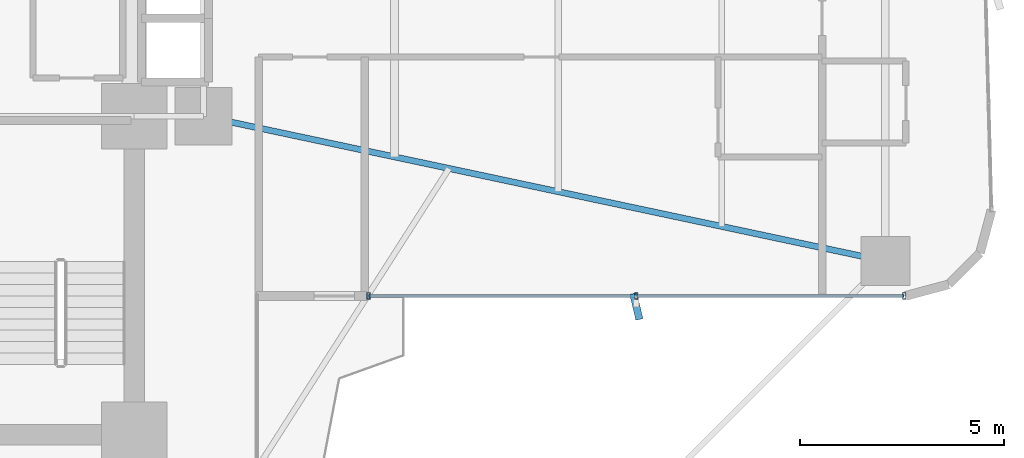
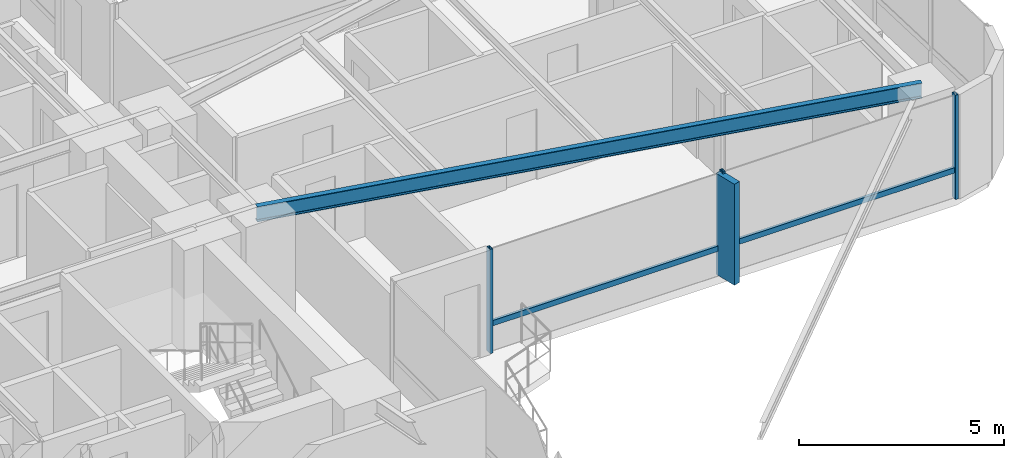
# One storey, part 14 of 25: 6 members, 1 beam, 1 element without a shape of its own.
"""IFC4 building model written with IfcOpenShell, lengths in metres."""

from ifc_helpers import new_model, si_unit, direction, frame, origin, origin_2d, place, context, subcontext, project, spatial, rectangle, hollow_rectangle, i_section, extrude, source, transform, mapped, material, material_profile, profile_set, type_object, element, aggregate, save


model = new_model("IFC4")

# Units and contexts
model_context = context("Model", 3, precision=1e-05, world=origin(), true_north=direction((0.0, 1.0)))
body_context = subcontext(model_context, "Body", "Model", "MODEL_VIEW")
ifc_project = project(units=[si_unit("LENGTHUNIT", "METRE"), si_unit("AREAUNIT", "SQUARE_METRE"), si_unit("VOLUMEUNIT", "CUBIC_METRE"), si_unit("PLANEANGLEUNIT", "RADIAN"), si_unit("MASSUNIT", "GRAM", prefix="KILO")], contexts=[model_context])

# Site, building, storey
site_placement = place(None, origin())
site = spatial("IfcSite", under=ifc_project, at=site_placement, CompositionType="ELEMENT")
building_placement = place(site_placement, origin())
building = spatial("IfcBuilding", under=site, at=building_placement, Name="Sahyath Konkavel Grand Hotel", CompositionType="ELEMENT")
storey_placement = place(building_placement, frame((0.0, 0.0, 33.14990234375)))
storey = spatial("IfcBuildingStorey", under=building, at=storey_placement, Name="L08", CompositionType="ELEMENT", Elevation=33.14990234375)

# Beam
ifc_material_1 = material(Name="Steel E350", Category="steel")
ifc_material_profile_1 = material_profile(ifc_material_1, i_section(OverallWidth=0.14990234375, OverallDepth=0.449951171875, WebThickness=0.009521484375, FlangeThickness=0.017333984375, FilletRadius=0.014892578125, at=origin_2d()), Name="ISMB 450")
ifc_profile_set_1 = profile_set([ifc_material_profile_1], Name="Steel E350")
beam_type = type_object("IfcBeamType", Name="BM-ISMB450", PredefinedType="BEAM", material=ifc_profile_set_1)
shared_shape_1 = source(origin(), body_context, "Body", "SweptSolid", [
    extrude(i_section(OverallWidth=0.14990234375, OverallDepth=0.449951171875, WebThickness=0.009521484375, FlangeThickness=0.017333984375, FilletRadius=0.014892578125, at=origin_2d()), origin(), (0.0, 0.0, 1.0), 17.072998046875),
])
beam_placement = place(storey_placement, frame((5.5, -2.39990234375, 2.885009765625), z_axis=(0.978143257225, -0.20793212437, 0.0), x_axis=(0.20793212437, 0.978143257225, 0.0)))
element("IfcBeam", 1, at=beam_placement, inside=storey, type_object=beam_type, Name="L08 Cruciform Radial Girder EA", PredefinedType="BEAM", context=body_context, shape_type="MappedRepresentation", body=[
    mapped(shared_shape_1, transform((0.0, 0.0, 0.0), scale=1.0)),
])

# Curtain wall, members
ifc_material_2 = material(Name="Anodised Bronze Aluminium & Low-E Glazing", Category="aluminium")
curtain_wall_type = type_object("IfcCurtainWallType", Name="CW-ZONE1", PredefinedType="NOTDEFINED", material=ifc_material_2)
curtain_wall_placement = place(storey_placement, origin())
curtain_wall = element("IfcCurtainWall", 2, at=curtain_wall_placement, inside=storey, type_object=curtain_wall_type, Name="L08 Unitised Curtain Wall F0", PredefinedType="NOTDEFINED")
ifc_material_3 = material(Name="Warm Buff Sandstone Cladding on Concrete C50/60", Category="masonry")
ifc_material_profile_2 = material_profile(ifc_material_3, rectangle(XDim=0.179931640625, YDim=0.64990234375, at=origin_2d()), Name="FIN 180x650")
ifc_profile_set_2 = profile_set([ifc_material_profile_2], Name="Warm Buff Sandstone Cladding on Concrete C50/60")
member_type_1 = type_object("IfcMemberType", Name="FIN-SANDSTONE-650", PredefinedType="MULLION", material=ifc_profile_set_2)
shared_shape_2 = source(origin(), body_context, "Body", "SweptSolid", [
    extrude(rectangle(XDim=0.179931640625, YDim=0.64990234375, at=origin_2d()), origin(), (0.0, 0.0, 1.0), 3.010009765625),
])
member_1_placement = place(storey_placement, frame((16.10009765625, -7.06005859375, 0.050048828125), z_axis=(0.0, 0.0, 1.0), x_axis=(0.973138706701, 0.230219585439, 0.0)))
member_1 = element("IfcMember", 3, at=member_1_placement, type_object=member_type_1, Name="L08 Sandstone Vertical Solar Fin FIN F0-1", PredefinedType="MULLION", context=body_context, shape_type="MappedRepresentation", body=[
    mapped(shared_shape_2, transform((0.0, 0.0, 0.0), scale=1.0)),
])
ifc_material_4 = material(Name="Anodised Bronze Aluminium", Category="aluminium")
ifc_material_profile_3 = material_profile(ifc_material_4, hollow_rectangle(XDim=0.080078125, YDim=0.159912109375, WallThickness=0.006103515625, at=origin_2d()), Name="RHS 160x80x6")
ifc_profile_set_3 = profile_set([ifc_material_profile_3], Name="Anodised Bronze Aluminium")
member_type_2 = type_object("IfcMemberType", Name="CW-MUL-160", PredefinedType="MULLION", material=ifc_profile_set_3)
shared_shape_3 = source(origin(), body_context, "Body", "SweptSolid", [
    extrude(hollow_rectangle(XDim=0.080078125, YDim=0.159912109375, WallThickness=0.006103515625, at=origin_2d()), origin(), (0.0, 0.0, 1.0), 3.110107421875),
])
member_2_placement = place(storey_placement, frame((9.5400390625, -6.800048828125, 0.0), z_axis=(0.0, 0.0, 1.0), x_axis=(1.0, 0.0, 0.0)))
member_2 = element("IfcMember", 4, at=member_2_placement, type_object=member_type_2, Name="L08 Curtain Wall Mullion F0-0", PredefinedType="MULLION", context=body_context, shape_type="MappedRepresentation", body=[
    mapped(shared_shape_3, transform((0.0, 0.0, 0.0), scale=1.0)),
])
member_3_placement = place(storey_placement, frame((16.10009765625, -6.800048828125, 0.0), z_axis=(0.0, 0.0, 1.0), x_axis=(1.0, 0.0, 0.0)))
member_3 = element("IfcMember", 5, at=member_3_placement, type_object=member_type_2, Name="L08 Curtain Wall Mullion F0-1", PredefinedType="MULLION", context=body_context, shape_type="MappedRepresentation", body=[
    mapped(shared_shape_3, transform((0.0, 0.0, 0.0), scale=1.0)),
])
member_4_placement = place(storey_placement, frame((22.659912109375, -6.800048828125, 0.0), z_axis=(0.0, 0.0, 1.0), x_axis=(1.0, 0.0, 0.0)))
member_4 = element("IfcMember", 6, at=member_4_placement, type_object=member_type_2, Name="L08 Curtain Wall Mullion F0-2", PredefinedType="MULLION", context=body_context, shape_type="MappedRepresentation", body=[
    mapped(shared_shape_3, transform((0.0, 0.0, 0.0), scale=1.0)),
])
ifc_material_profile_4 = material_profile(ifc_material_4, hollow_rectangle(XDim=0.080078125, YDim=0.159912109375, WallThickness=0.006103515625, at=origin_2d()), Name="RHS 160x80x6")
ifc_profile_set_4 = profile_set([ifc_material_profile_4], Name="Anodised Bronze Aluminium")
member_type_3 = type_object("IfcMemberType", Name="CW-TRN-160", PredefinedType="USERDEFINED", material=ifc_profile_set_4)
shared_shape_4 = source(origin(), body_context, "Body", "SweptSolid", [
    extrude(hollow_rectangle(XDim=0.080078125, YDim=0.159912109375, WallThickness=0.006103515625, at=origin_2d()), origin(), (0.0, 0.0, 1.0), 6.56005859375),
])
member_5_placement = place(storey_placement, frame((9.5400390625, -6.800048828125, 0.85009765625), z_axis=(1.0, 0.0, 0.0), x_axis=(0.0, 1.0, 0.0)))
member_5 = element("IfcMember", 7, at=member_5_placement, type_object=member_type_3, Name="L08 Curtain Wall Transom F0-0-spandrel", ObjectType="TRANSOM", PredefinedType="USERDEFINED", context=body_context, shape_type="MappedRepresentation", body=[
    mapped(shared_shape_4, transform((0.0, 0.0, 0.0), scale=1.0)),
])
shared_shape_5 = source(origin(), body_context, "Body", "SweptSolid", [
    extrude(hollow_rectangle(XDim=0.080078125, YDim=0.159912109375, WallThickness=0.006103515625, at=origin_2d()), origin(), (0.0, 0.0, 1.0), 6.559814453125),
])
member_6_placement = place(storey_placement, frame((16.10009765625, -6.800048828125, 0.85009765625), z_axis=(1.0, 0.0, 0.0), x_axis=(0.0, 1.0, 0.0)))
member_6 = element("IfcMember", 8, at=member_6_placement, type_object=member_type_3, Name="L08 Curtain Wall Transom F0-1-spandrel", ObjectType="TRANSOM", PredefinedType="USERDEFINED", context=body_context, shape_type="MappedRepresentation", body=[
    mapped(shared_shape_5, transform((0.0, 0.0, 0.0), scale=1.0)),
])
aggregate(curtain_wall, [member_2, member_3, member_1, member_4, member_5, member_6])

save(model, "model.ifc")
